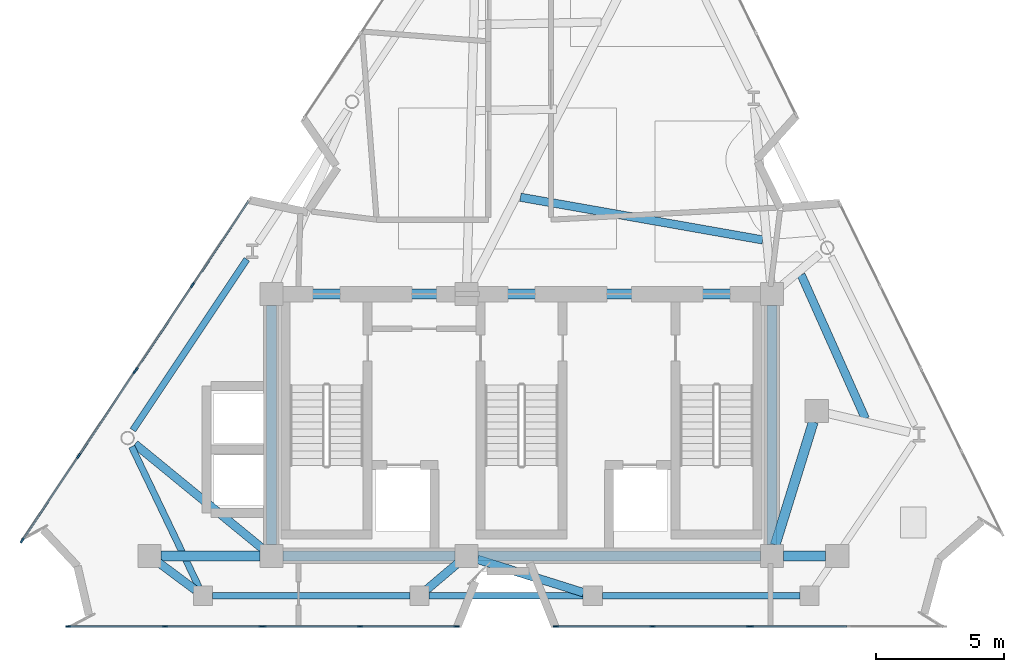
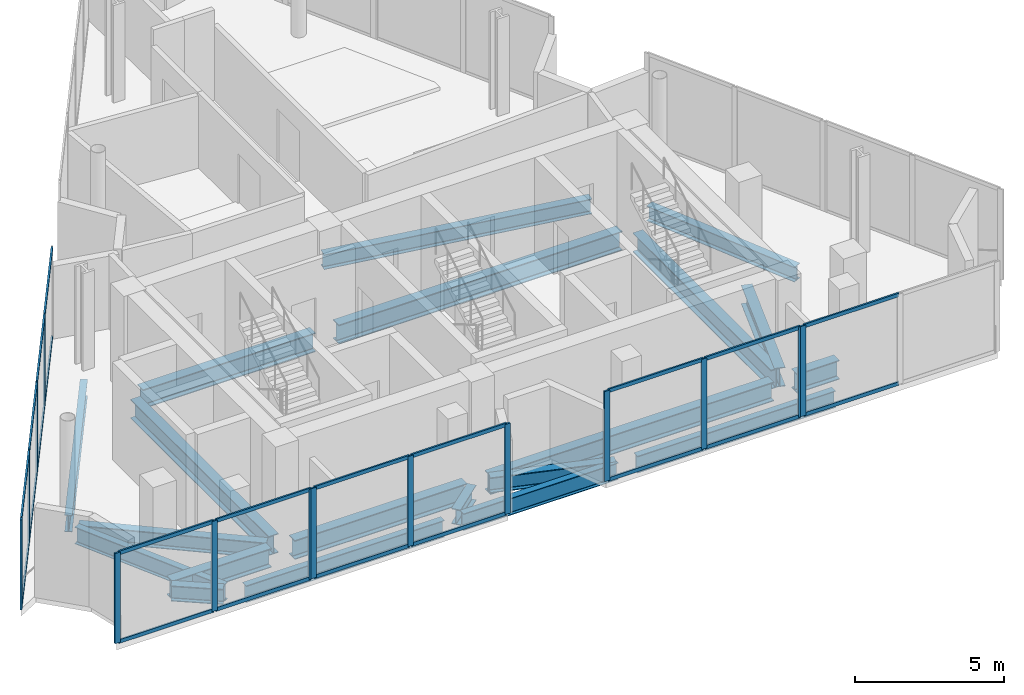
# One storey, part 2 of 9: 37 members, 20 beams, 6 elements without a shape of their own.
"""IFC4 building model written with IfcOpenShell, lengths in metres."""

from ifc_helpers import new_model, si_unit, direction, frame, origin, origin_2d, place, context, subcontext, project, spatial, rectangle, i_section, extrude, material, layer, layer_set, material_profile, profile_set, type_object, element, aggregate, save


model = new_model("IFC4")

# Units and contexts
model_context = context("Model", 3, precision=1e-05, world=origin(), true_north=direction((0.0, 1.0)))
body_context = subcontext(model_context, "Body", "Model", "MODEL_VIEW")
ifc_project = project(units=[si_unit("LENGTHUNIT", "METRE"), si_unit("AREAUNIT", "SQUARE_METRE"), si_unit("VOLUMEUNIT", "CUBIC_METRE"), si_unit("PLANEANGLEUNIT", "RADIAN"), si_unit("MASSUNIT", "GRAM", prefix="KILO")], contexts=[model_context])

# Site, building, storey
site_placement = place(None, origin())
site = spatial("IfcSite", under=ifc_project, at=site_placement, CompositionType="ELEMENT")
building_placement = place(site_placement, origin())
building = spatial("IfcBuilding", under=site, at=building_placement, Name="Almagre Mirador Tower", CompositionType="ELEMENT")
storey_placement = place(building_placement, frame((0.0, 0.0, 298.5)))
storey = spatial("IfcBuildingStorey", under=building, at=storey_placement, Name="L77", CompositionType="ELEMENT", Elevation=298.5)

# Beams
ifc_material_1 = material(Name="Steel ASTM A992 Grade 50", Category="steel")
ifc_material_profile_1 = material_profile(ifc_material_1, i_section(OverallWidth=0.323974609375, OverallDepth=0.611083984375, WebThickness=0.0126953125, FlangeThickness=0.01904296875, FilletRadius=0.02001953125, at=origin_2d()), Name="W24X104")
ifc_profile_set_1 = profile_set([ifc_material_profile_1], Name="Steel ASTM A992 Grade 50")
beam_type_1 = type_object("IfcBeamType", Name="BM-JST-W24X104", PredefinedType="JOIST", material=ifc_profile_set_1)
beam_1_placement = place(storey_placement, frame((50.697998046875, 9.89599609375, -0.60546875), z_axis=(-0.407952755815, 0.91300303889, 0.0), x_axis=(-0.91300303889, -0.407952755815, 0.0)))
element("IfcBeam", 1, at=beam_1_placement, inside=storey, type_object=beam_type_1, Name="L77 secondary floor joist PC05-PC06.2", PredefinedType="JOIST", context=body_context, shape_type="SweptSolid", body=[
    extrude(i_section(OverallWidth=0.323974609375, OverallDepth=0.611083984375, WebThickness=0.0126953125, FlangeThickness=0.01904296875, FilletRadius=0.02001953125, at=origin_2d()), origin(), (0.0, 0.0, 1.0), 6.14013671875),
])
beam_2_placement = place(storey_placement, frame((46.694091796875, 16.861328125, -0.60546875), z_axis=(-0.984830443771, 0.17351944278, 0.0), x_axis=(-0.17351944278, -0.984830443771, 0.0)))
element("IfcBeam", 2, at=beam_2_placement, inside=storey, type_object=beam_type_1, Name="L77 secondary floor joist PC07-PC08.3", PredefinedType="JOIST", context=body_context, shape_type="SweptSolid", body=[
    extrude(i_section(OverallWidth=0.323974609375, OverallDepth=0.611083984375, WebThickness=0.0126953125, FlangeThickness=0.01904296875, FilletRadius=0.02001953125, at=origin_2d()), origin(), (0.0, 0.0, 1.0), 9.5859375),
])
ifc_material_2 = material(Name="Steel ASTM A992 Grade 50", Category="steel")
ifc_material_profile_2 = material_profile(ifc_material_2, i_section(OverallWidth=0.256103515625, OverallDepth=0.693115234375, WebThickness=0.014404296875, FlangeThickness=0.023681640625, FilletRadius=0.02197265625, at=origin_2d()), Name="W27X114")
ifc_profile_set_2 = profile_set([ifc_material_profile_2], Name="Steel ASTM A992 Grade 50")
beam_type_2 = type_object("IfcBeamType", Name="BM-SPN-W27X114", PredefinedType="SPANDREL", material=ifc_profile_set_2)
beam_3_placement = place(storey_placement, frame((25.259033203125, 3.0, -0.646484375), z_axis=(1.0, 0.0, 0.0), x_axis=(0.0, 1.0, 0.0)))
element("IfcBeam", 3, at=beam_3_placement, inside=storey, type_object=beam_type_2, Name="L77 perimeter spandrel beam PC01-PC02", PredefinedType="SPANDREL", context=body_context, shape_type="SweptSolid", body=[
    extrude(i_section(OverallWidth=0.256103515625, OverallDepth=0.693115234375, WebThickness=0.014404296875, FlangeThickness=0.023681640625, FilletRadius=0.02197265625, at=origin_2d()), origin(), (0.0, 0.0, 1.0), 7.68994140625),
])
beam_4_placement = place(storey_placement, frame((33.698974609375, 3.0, -0.646484375), z_axis=(1.0, 0.0, 0.0), x_axis=(0.0, 1.0, 0.0)))
element("IfcBeam", 4, at=beam_4_placement, inside=storey, type_object=beam_type_2, Name="L77 perimeter spandrel beam PC02-PC03", PredefinedType="SPANDREL", context=body_context, shape_type="SweptSolid", body=[
    extrude(i_section(OverallWidth=0.256103515625, OverallDepth=0.693115234375, WebThickness=0.014404296875, FlangeThickness=0.023681640625, FilletRadius=0.02197265625, at=origin_2d()), origin(), (0.0, 0.0, 1.0), 6.001953125),
])
beam_5_placement = place(storey_placement, frame((40.450927734375, 3.0, -0.646484375), z_axis=(1.0, 0.0, 0.0), x_axis=(0.0, 1.0, 0.0)))
element("IfcBeam", 5, at=beam_5_placement, inside=storey, type_object=beam_type_2, Name="L77 perimeter spandrel beam PC03-PC04", PredefinedType="SPANDREL", context=body_context, shape_type="SweptSolid", body=[
    extrude(i_section(OverallWidth=0.256103515625, OverallDepth=0.693115234375, WebThickness=0.014404296875, FlangeThickness=0.023681640625, FilletRadius=0.02197265625, at=origin_2d()), origin(), (0.0, 0.0, 1.0), 7.690185546875),
])
beam_6_placement = place(storey_placement, frame((26.595703125, 16.110107421875, -0.646484375), z_axis=(-0.555228061938, -0.831698141898, 0.0), x_axis=(0.831698141898, -0.555228061938, 0.0)))
element("IfcBeam", 6, at=beam_6_placement, inside=storey, type_object=beam_type_2, Name="L77 perimeter spandrel beam PC11-PC12", PredefinedType="SPANDREL", context=body_context, shape_type="SweptSolid", body=[
    extrude(i_section(OverallWidth=0.256103515625, OverallDepth=0.693115234375, WebThickness=0.014404296875, FlangeThickness=0.023681640625, FilletRadius=0.02197265625, at=origin_2d()), origin(), (0.0, 0.0, 1.0), 8.003173828125),
])
beam_7_placement = place(storey_placement, frame((22.10595703125, 8.8037109375, -0.646484375), z_axis=(0.431756290683, -0.901990302307, 0.0), x_axis=(0.901990302307, 0.431756290683, 0.0)))
element("IfcBeam", 7, at=beam_7_placement, inside=storey, type_object=beam_type_2, Name="L77 perimeter spandrel beam PC12-PC01", PredefinedType="SPANDREL", context=body_context, shape_type="SweptSolid", body=[
    extrude(i_section(OverallWidth=0.256103515625, OverallDepth=0.693115234375, WebThickness=0.014404296875, FlangeThickness=0.023681640625, FilletRadius=0.02197265625, at=origin_2d()), origin(), (0.0, 0.0, 1.0), 6.0595703125),
])
ifc_material_3 = material(Name="Steel ASTM A992 Grade 50", Category="steel")
ifc_material_profile_3 = material_profile(ifc_material_3, i_section(OverallWidth=0.330078125, OverallDepth=0.635009765625, WebThickness=0.017822265625, FlangeThickness=0.031005859375, FilletRadius=0.02001953125, at=origin_2d()), Name="W24X162")
ifc_profile_set_3 = profile_set([ifc_material_profile_3], Name="Steel ASTM A992 Grade 50")
beam_type_3 = type_object("IfcBeamType", Name="BM-STL-W24X162", PredefinedType="BEAM", material=ifc_profile_set_3)
beam_8_placement = place(storey_placement, frame((24.5830078125, 3.223876953125, -0.617431640625), z_axis=(-0.802374373866, 0.596821048693, 0.0), x_axis=(-0.596821048693, -0.802374373866, 0.0)))
element("IfcBeam", 8, at=beam_8_placement, inside=storey, type_object=beam_type_3, Name="L77 radial floor girder PC01-MC1", PredefinedType="BEAM", context=body_context, shape_type="SweptSolid", body=[
    extrude(i_section(OverallWidth=0.330078125, OverallDepth=0.635009765625, WebThickness=0.017822265625, FlangeThickness=0.031005859375, FilletRadius=0.02001953125, at=origin_2d()), origin(), (0.0, 0.0, 1.0), 1.77197265625),
])
beam_9_placement = place(storey_placement, frame((33.60986328125, 3.24267578125, -0.617431640625), z_axis=(0.76236500019, 0.647147283457, 0.0), x_axis=(-0.647147283457, 0.76236500019, 0.0)))
element("IfcBeam", 9, at=beam_9_placement, inside=storey, type_object=beam_type_3, Name="L77 radial floor girder PC02-CC2", PredefinedType="BEAM", context=body_context, shape_type="SweptSolid", body=[
    extrude(i_section(OverallWidth=0.330078125, OverallDepth=0.635009765625, WebThickness=0.017822265625, FlangeThickness=0.031005859375, FilletRadius=0.02001953125, at=origin_2d()), origin(), (0.0, 0.0, 1.0), 1.570068359375),
])
beam_10_placement = place(storey_placement, frame((39.71826171875, 3.112548828125, -0.617431640625), z_axis=(-0.953898482719, 0.300129446518, 0.0), x_axis=(-0.300129446518, -0.953898482719, 0.0)))
element("IfcBeam", 10, at=beam_10_placement, inside=storey, type_object=beam_type_3, Name="L77 radial floor girder PC03-CC2", PredefinedType="BEAM", context=body_context, shape_type="SweptSolid", body=[
    extrude(i_section(OverallWidth=0.330078125, OverallDepth=0.635009765625, WebThickness=0.017822265625, FlangeThickness=0.031005859375, FilletRadius=0.02001953125, at=origin_2d()), origin(), (0.0, 0.0, 1.0), 4.3388671875),
])
beam_11_placement = place(storey_placement, frame((22.234130859375, 8.904296875, -0.617431640625), z_axis=(0.773609930391, -0.633662114696, 0.0), x_axis=(0.633662114696, 0.773609930391, 0.0)))
element("IfcBeam", 11, at=beam_11_placement, inside=storey, type_object=beam_type_3, Name="L77 radial floor girder PC12-CC1", PredefinedType="BEAM", context=body_context, shape_type="SweptSolid", body=[
    extrude(i_section(OverallWidth=0.330078125, OverallDepth=0.635009765625, WebThickness=0.017822265625, FlangeThickness=0.031005859375, FilletRadius=0.02001953125, at=origin_2d()), origin(), (0.0, 0.0, 1.0), 6.421630859375),
])
ifc_material_4 = material(Name="Steel ASTM A992 Grade 50", Category="steel")
ifc_material_profile_4 = material_profile(ifc_material_4, i_section(OverallWidth=0.384033203125, OverallDepth=0.784912109375, WebThickness=0.019775390625, FlangeThickness=0.033447265625, FilletRadius=0.02392578125, at=origin_2d()), Name="W30X211")
ifc_profile_set_4 = profile_set([ifc_material_profile_4], Name="Steel ASTM A992 Grade 50")
beam_type_4 = type_object("IfcBeamType", Name="BM-STL-W30X211", PredefinedType="BEAM", material=ifc_profile_set_4)
beam_12_placement = place(storey_placement, frame((28.0, 4.550048828125, -0.6923828125), z_axis=(1.0, 0.0, 0.0), x_axis=(0.0, 1.0, 0.0)))
element("IfcBeam", 12, at=beam_12_placement, inside=storey, type_object=beam_type_4, Name="L77 core tie girder CC1-CC2", PredefinedType="BEAM", context=body_context, shape_type="SweptSolid", body=[
    extrude(i_section(OverallWidth=0.384033203125, OverallDepth=0.784912109375, WebThickness=0.019775390625, FlangeThickness=0.033447265625, FilletRadius=0.02392578125, at=origin_2d()), origin(), (0.0, 0.0, 1.0), 6.699951171875),
])
beam_13_placement = place(storey_placement, frame((35.60009765625, 4.550048828125, -0.6923828125), z_axis=(1.0, 0.0, 0.0), x_axis=(0.0, 1.0, 0.0)))
element("IfcBeam", 13, at=beam_13_placement, inside=storey, type_object=beam_type_4, Name="L77 core tie girder CC2-CC3", PredefinedType="BEAM", context=body_context, shape_type="SweptSolid", body=[
    extrude(i_section(OverallWidth=0.384033203125, OverallDepth=0.784912109375, WebThickness=0.019775390625, FlangeThickness=0.033447265625, FilletRadius=0.02392578125, at=origin_2d()), origin(), (0.0, 0.0, 1.0), 11.0),
])
beam_14_placement = place(storey_placement, frame((28.0, 14.75, -0.6923828125), z_axis=(1.0, 0.0, 0.0), x_axis=(0.0, 1.0, 0.0)))
element("IfcBeam", 14, at=beam_14_placement, inside=storey, type_object=beam_type_4, Name="L77 core tie girder CC4-CC5", PredefinedType="BEAM", context=body_context, shape_type="SweptSolid", body=[
    extrude(i_section(OverallWidth=0.384033203125, OverallDepth=0.784912109375, WebThickness=0.019775390625, FlangeThickness=0.033447265625, FilletRadius=0.02392578125, at=origin_2d()), origin(), (0.0, 0.0, 1.0), 6.699951171875),
])
beam_15_placement = place(storey_placement, frame((35.60009765625, 14.75, -0.6923828125), z_axis=(1.0, 0.0, 0.0), x_axis=(0.0, 1.0, 0.0)))
element("IfcBeam", 15, at=beam_15_placement, inside=storey, type_object=beam_type_4, Name="L77 core tie girder CC5-CC6", PredefinedType="BEAM", context=body_context, shape_type="SweptSolid", body=[
    extrude(i_section(OverallWidth=0.384033203125, OverallDepth=0.784912109375, WebThickness=0.019775390625, FlangeThickness=0.033447265625, FilletRadius=0.02392578125, at=origin_2d()), origin(), (0.0, 0.0, 1.0), 11.0),
])
for number, where, z_axis, x_axis, name in (
    (16, (27.550048828125, 5.0, -0.6923828125), (0.0, 1.0, 0.0), (-1.0, 0.0, 0.0), "L77 core tie girder CC1-CC4"),
    (17, (47.050048828125, 5.0, -0.6923828125), (0.0, 1.0, 0.0), (-1.0, 0.0, 0.0), "L77 core tie girder CC3-CC6"),
):
    element("IfcBeam", number, at=place(storey_placement, frame(where, z_axis=z_axis, x_axis=x_axis)), inside=storey, type_object=beam_type_4, Name=name, PredefinedType="BEAM", context=body_context, shape_type="SweptSolid", body=[
        extrude(i_section(OverallWidth=0.384033203125, OverallDepth=0.784912109375, WebThickness=0.019775390625, FlangeThickness=0.033447265625, FilletRadius=0.02392578125, at=origin_2d()), origin(), (0.0, 0.0, 1.0), 9.300048828125),
    ])
beam_16_placement = place(storey_placement, frame((23.25, 4.550048828125, -0.6923828125), z_axis=(1.0, 0.0, 0.0), x_axis=(0.0, 1.0, 0.0)))
element("IfcBeam", 18, at=beam_16_placement, inside=storey, type_object=beam_type_4, Name="L77 core tie girder MC1-CC1", PredefinedType="BEAM", context=body_context, shape_type="SweptSolid", body=[
    extrude(i_section(OverallWidth=0.384033203125, OverallDepth=0.784912109375, WebThickness=0.019775390625, FlangeThickness=0.033447265625, FilletRadius=0.02392578125, at=origin_2d()), origin(), (0.0, 0.0, 1.0), 3.85009765625),
])
beam_17_placement = place(storey_placement, frame((49.14990234375, 4.550048828125, -0.6923828125), z_axis=(-1.0, 0.0, 0.0), x_axis=(0.0, -1.0, 0.0)))
element("IfcBeam", 19, at=beam_17_placement, inside=storey, type_object=beam_type_4, Name="L77 core tie girder MC2-CC3", PredefinedType="BEAM", context=body_context, shape_type="SweptSolid", body=[
    extrude(i_section(OverallWidth=0.384033203125, OverallDepth=0.784912109375, WebThickness=0.019775390625, FlangeThickness=0.033447265625, FilletRadius=0.02392578125, at=origin_2d()), origin(), (0.0, 0.0, 1.0), 1.64990234375),
])
beam_18_placement = place(storey_placement, frame((48.6669921875, 9.77001953125, -0.6923828125), z_axis=(-0.295912212866, -0.955215139263, 0.0), x_axis=(0.955215139263, -0.295912212866, 0.0)))
element("IfcBeam", 20, at=beam_18_placement, inside=storey, type_object=beam_type_4, Name="L77 core tie girder MC3-CC3", PredefinedType="BEAM", context=body_context, shape_type="SweptSolid", body=[
    extrude(i_section(OverallWidth=0.384033203125, OverallDepth=0.784912109375, WebThickness=0.019775390625, FlangeThickness=0.033447265625, FilletRadius=0.02392578125, at=origin_2d()), origin(), (0.0, 0.0, 1.0), 5.0146484375),
])

# Curtain wall, member
ifc_material_5 = material(Name="Black anodized aluminium", Category="aluminium")
ifc_layer = layer(ifc_material_5, 0.2099609375)
ifc_layer_set = layer_set([ifc_layer], Name="Black anodized aluminium")
curtain_wall_type = type_object("IfcCurtainWallType", Name="CW-CRN-SYS", PredefinedType="NOTDEFINED", material=ifc_layer_set)
curtain_wall_1_placement = place(storey_placement, origin())
curtain_wall_1 = element("IfcCurtainWall", 21, at=curtain_wall_1_placement, inside=storey, type_object=curtain_wall_type, Name="L77 curtain wall run 07", PredefinedType="NOTDEFINED")
ifc_material_6 = material(Name="Black anodized aluminium", Category="aluminium")
ifc_material_profile_5 = material_profile(ifc_material_6, rectangle(XDim=0.070068359375, YDim=0.2099609375, at=origin_2d()), Name="CWM70X210")
ifc_profile_set_5 = profile_set([ifc_material_profile_5], Name="Black anodized aluminium")
member_type_1 = type_object("IfcMemberType", Name="MBR-CWM70X210", PredefinedType="MULLION", material=ifc_profile_set_5)
member_1_placement = place(storey_placement, frame((46.235107421875, 1.800048828125, 0.0), z_axis=(0.0, 0.0, 1.0), x_axis=(0.0, -1.0, 0.0)))
member_1 = element("IfcMember", 22, at=member_1_placement, type_object=member_type_1, Name="CW-6 mullion 3", PredefinedType="MULLION", context=body_context, shape_type="SweptSolid", body=[
    extrude(rectangle(XDim=0.070068359375, YDim=0.2099609375, at=origin_2d()), origin(), (0.0, 0.0, 1.0), 3.699951171875),
])

# Curtain wall, members
curtain_wall_2_placement = place(storey_placement, origin())
curtain_wall_2 = element("IfcCurtainWall", 23, at=curtain_wall_2_placement, inside=storey, type_object=curtain_wall_type, Name="L77 curtain wall run 08", PredefinedType="NOTDEFINED")
member_2_placement = place(storey_placement, frame((46.1650390625, 1.800048828125, 0.0), z_axis=(0.0, 0.0, 1.0), x_axis=(0.0, -1.0, 0.0)))
member_2 = element("IfcMember", 24, at=member_2_placement, type_object=member_type_1, Name="CW-6 mullion 1", PredefinedType="MULLION", context=body_context, shape_type="SweptSolid", body=[
    extrude(rectangle(XDim=0.070068359375, YDim=0.2099609375, at=origin_2d()), origin(), (0.0, 0.0, 1.0), 3.699951171875),
])
member_3_placement = place(storey_placement, frame((42.39990234375, 1.800048828125, 0.0), z_axis=(0.0, 0.0, 1.0), x_axis=(0.0, -1.0, 0.0)))
member_3 = element("IfcMember", 25, at=member_3_placement, type_object=member_type_1, Name="CW-6 mullion 2", PredefinedType="MULLION", context=body_context, shape_type="SweptSolid", body=[
    extrude(rectangle(XDim=0.070068359375, YDim=0.2099609375, at=origin_2d()), origin(), (0.0, 0.0, 1.0), 3.699951171875),
])
member_4_placement = place(storey_placement, frame((38.635009765625, 1.800048828125, 0.0), z_axis=(0.0, 0.0, 1.0), x_axis=(0.0, -1.0, 0.0)))
member_4 = element("IfcMember", 26, at=member_4_placement, type_object=member_type_1, Name="CW-6 mullion 3", PredefinedType="MULLION", context=body_context, shape_type="SweptSolid", body=[
    extrude(rectangle(XDim=0.070068359375, YDim=0.2099609375, at=origin_2d()), origin(), (0.0, 0.0, 1.0), 3.699951171875),
])

curtain_wall_3_placement = place(storey_placement, origin())
curtain_wall_3 = element("IfcCurtainWall", 27, at=curtain_wall_3_placement, inside=storey, type_object=curtain_wall_type, Name="L77 curtain wall run 09", PredefinedType="NOTDEFINED")
member_5_placement = place(storey_placement, frame((34.764892578125, 1.800048828125, 0.0), z_axis=(0.0, 0.0, 1.0), x_axis=(0.0, -1.0, 0.0)))
member_5 = element("IfcMember", 28, at=member_5_placement, type_object=member_type_1, Name="CW-6 mullion 1", PredefinedType="MULLION", context=body_context, shape_type="SweptSolid", body=[
    extrude(rectangle(XDim=0.070068359375, YDim=0.2099609375, at=origin_2d()), origin(), (0.0, 0.0, 1.0), 3.699951171875),
])
member_6_placement = place(storey_placement, frame((31.0, 1.800048828125, 0.0), z_axis=(0.0, 0.0, 1.0), x_axis=(0.0, -1.0, 0.0)))
member_6 = element("IfcMember", 29, at=member_6_placement, type_object=member_type_1, Name="CW-6 mullion 2", PredefinedType="MULLION", context=body_context, shape_type="SweptSolid", body=[
    extrude(rectangle(XDim=0.070068359375, YDim=0.2099609375, at=origin_2d()), origin(), (0.0, 0.0, 1.0), 3.699951171875),
])
member_7_placement = place(storey_placement, frame((27.235107421875, 1.800048828125, 0.0), z_axis=(0.0, 0.0, 1.0), x_axis=(0.0, -1.0, 0.0)))
member_7 = element("IfcMember", 30, at=member_7_placement, type_object=member_type_1, Name="CW-6 mullion 3", PredefinedType="MULLION", context=body_context, shape_type="SweptSolid", body=[
    extrude(rectangle(XDim=0.070068359375, YDim=0.2099609375, at=origin_2d()), origin(), (0.0, 0.0, 1.0), 3.699951171875),
])

curtain_wall_4_placement = place(storey_placement, origin())
curtain_wall_4 = element("IfcCurtainWall", 31, at=curtain_wall_4_placement, inside=storey, type_object=curtain_wall_type, Name="L77 curtain wall run 10", PredefinedType="NOTDEFINED")
member_8_placement = place(storey_placement, frame((27.1650390625, 1.800048828125, 0.0), z_axis=(0.0, 0.0, 1.0), x_axis=(0.0, -1.0, 0.0)))
member_8 = element("IfcMember", 32, at=member_8_placement, type_object=member_type_1, Name="CW-6 mullion 1", PredefinedType="MULLION", context=body_context, shape_type="SweptSolid", body=[
    extrude(rectangle(XDim=0.070068359375, YDim=0.2099609375, at=origin_2d()), origin(), (0.0, 0.0, 1.0), 3.699951171875),
])
member_9_placement = place(storey_placement, frame((23.39990234375, 1.800048828125, 0.0), z_axis=(0.0, 0.0, 1.0), x_axis=(0.0, -1.0, 0.0)))
member_9 = element("IfcMember", 33, at=member_9_placement, type_object=member_type_1, Name="CW-6 mullion 2", PredefinedType="MULLION", context=body_context, shape_type="SweptSolid", body=[
    extrude(rectangle(XDim=0.070068359375, YDim=0.2099609375, at=origin_2d()), origin(), (0.0, 0.0, 1.0), 3.699951171875),
])
member_10_placement = place(storey_placement, frame((19.635009765625, 1.800048828125, 0.0), z_axis=(0.0, 0.0, 1.0), x_axis=(0.0, -1.0, 0.0)))
member_10 = element("IfcMember", 34, at=member_10_placement, type_object=member_type_1, Name="CW-6 mullion 3", PredefinedType="MULLION", context=body_context, shape_type="SweptSolid", body=[
    extrude(rectangle(XDim=0.070068359375, YDim=0.2099609375, at=origin_2d()), origin(), (0.0, 0.0, 1.0), 3.699951171875),
])

curtain_wall_5_placement = place(storey_placement, origin())
curtain_wall_5 = element("IfcCurtainWall", 35, at=curtain_wall_5_placement, inside=storey, type_object=curtain_wall_type, Name="L77 curtain wall run 11", PredefinedType="NOTDEFINED")
member_11_placement = place(storey_placement, frame((17.84033203125, 5.156005859375, 0.0), z_axis=(0.0, 0.0, 1.0), x_axis=(-0.831703606854, 0.555219875676, 0.0)))
member_11 = element("IfcMember", 36, at=member_11_placement, type_object=member_type_1, Name="CW-6 mullion 1", PredefinedType="MULLION", context=body_context, shape_type="SweptSolid", body=[
    extrude(rectangle(XDim=0.070068359375, YDim=0.2099609375, at=origin_2d()), origin(), (0.0, 0.0, 1.0), 3.699951171875),
])
member_12_placement = place(storey_placement, frame((20.03955078125, 8.4501953125, 0.0), z_axis=(0.0, 0.0, 1.0), x_axis=(-0.831703606854, 0.555219875676, 0.0)))
member_12 = element("IfcMember", 37, at=member_12_placement, type_object=member_type_1, Name="CW-6 mullion 2", PredefinedType="MULLION", context=body_context, shape_type="SweptSolid", body=[
    extrude(rectangle(XDim=0.070068359375, YDim=0.2099609375, at=origin_2d()), origin(), (0.0, 0.0, 1.0), 3.699951171875),
])
member_13_placement = place(storey_placement, frame((22.238525390625, 11.744384765625, 0.0), z_axis=(0.0, 0.0, 1.0), x_axis=(-0.831703606854, 0.555219875676, 0.0)))
member_13 = element("IfcMember", 38, at=member_13_placement, type_object=member_type_1, Name="CW-6 mullion 3", PredefinedType="MULLION", context=body_context, shape_type="SweptSolid", body=[
    extrude(rectangle(XDim=0.070068359375, YDim=0.2099609375, at=origin_2d()), origin(), (0.0, 0.0, 1.0), 3.699951171875),
])

curtain_wall_6_placement = place(storey_placement, origin())
curtain_wall_6 = element("IfcCurtainWall", 39, at=curtain_wall_6_placement, inside=storey, type_object=curtain_wall_type, Name="L77 curtain wall run 12", PredefinedType="NOTDEFINED")
member_14_placement = place(storey_placement, frame((22.27734375, 11.802490234375, 0.0), z_axis=(0.0, 0.0, 1.0), x_axis=(-0.831703606854, 0.555219875676, 0.0)))
member_14 = element("IfcMember", 40, at=member_14_placement, type_object=member_type_1, Name="CW-6 mullion 1", PredefinedType="MULLION", context=body_context, shape_type="SweptSolid", body=[
    extrude(rectangle(XDim=0.070068359375, YDim=0.2099609375, at=origin_2d()), origin(), (0.0, 0.0, 1.0), 3.699951171875),
])
member_15_placement = place(storey_placement, frame((24.4765625, 15.0966796875, 0.0), z_axis=(0.0, 0.0, 1.0), x_axis=(-0.831703606854, 0.555219875676, 0.0)))
member_15 = element("IfcMember", 41, at=member_15_placement, type_object=member_type_1, Name="CW-6 mullion 2", PredefinedType="MULLION", context=body_context, shape_type="SweptSolid", body=[
    extrude(rectangle(XDim=0.070068359375, YDim=0.2099609375, at=origin_2d()), origin(), (0.0, 0.0, 1.0), 3.699951171875),
])

# Member
ifc_material_7 = material(Name="Black anodized aluminium", Category="aluminium")
ifc_material_profile_6 = material_profile(ifc_material_7, rectangle(XDim=0.06494140625, YDim=0.14990234375, at=origin_2d()), Name="CWT65X150")
ifc_profile_set_6 = profile_set([ifc_material_profile_6], Name="Black anodized aluminium")
member_type_2 = type_object("IfcMemberType", Name="MBR-CWT65X150", PredefinedType="USERDEFINED", material=ifc_profile_set_6)
member_16_placement = place(storey_placement, frame((49.965087890625, 1.800048828125, 0.032470703125), z_axis=(-1.0, 0.0, 0.0), x_axis=(0.0, -1.0, 0.0)))
member_16 = element("IfcMember", 42, at=member_16_placement, type_object=member_type_2, Name="CW-6 transom 2.1", ObjectType="TRANSOM", PredefinedType="USERDEFINED", context=body_context, shape_type="SweptSolid", body=[
    extrude(rectangle(XDim=0.06494140625, YDim=0.14990234375, at=origin_2d()), origin(), (0.0, 0.0, 1.0), 3.695068359375),
])

member_17_placement = place(storey_placement, frame((49.965087890625, 1.800048828125, 3.66748046875), z_axis=(-1.0, 0.0, 0.0), x_axis=(0.0, -1.0, 0.0)))
member_17 = element("IfcMember", 43, at=member_17_placement, type_object=member_type_2, Name="CW-6 transom 2.2", ObjectType="TRANSOM", PredefinedType="USERDEFINED", context=body_context, shape_type="SweptSolid", body=[
    extrude(rectangle(XDim=0.06494140625, YDim=0.14990234375, at=origin_2d()), origin(), (0.0, 0.0, 1.0), 3.695068359375),
])

aggregate(curtain_wall_1, [member_1, member_16, member_17])

member_18_placement = place(storey_placement, frame((46.1298828125, 1.800048828125, 0.032470703125), z_axis=(-1.0, 0.0, 0.0), x_axis=(0.0, -1.0, 0.0)))
member_18 = element("IfcMember", 44, at=member_18_placement, type_object=member_type_2, Name="CW-6 transom 1.1", ObjectType="TRANSOM", PredefinedType="USERDEFINED", context=body_context, shape_type="SweptSolid", body=[
    extrude(rectangle(XDim=0.06494140625, YDim=0.14990234375, at=origin_2d()), origin(), (0.0, 0.0, 1.0), 3.69482421875),
])

member_19_placement = place(storey_placement, frame((46.1298828125, 1.800048828125, 3.66748046875), z_axis=(-1.0, 0.0, 0.0), x_axis=(0.0, -1.0, 0.0)))
member_19 = element("IfcMember", 45, at=member_19_placement, type_object=member_type_2, Name="CW-6 transom 1.2", ObjectType="TRANSOM", PredefinedType="USERDEFINED", context=body_context, shape_type="SweptSolid", body=[
    extrude(rectangle(XDim=0.06494140625, YDim=0.14990234375, at=origin_2d()), origin(), (0.0, 0.0, 1.0), 3.69482421875),
])

member_20_placement = place(storey_placement, frame((42.364990234375, 1.800048828125, 0.032470703125), z_axis=(-1.0, 0.0, 0.0), x_axis=(0.0, -1.0, 0.0)))
member_20 = element("IfcMember", 46, at=member_20_placement, type_object=member_type_2, Name="CW-6 transom 2.1", ObjectType="TRANSOM", PredefinedType="USERDEFINED", context=body_context, shape_type="SweptSolid", body=[
    extrude(rectangle(XDim=0.06494140625, YDim=0.14990234375, at=origin_2d()), origin(), (0.0, 0.0, 1.0), 3.695068359375),
])

member_21_placement = place(storey_placement, frame((42.364990234375, 1.800048828125, 3.66748046875), z_axis=(-1.0, 0.0, 0.0), x_axis=(0.0, -1.0, 0.0)))
member_21 = element("IfcMember", 47, at=member_21_placement, type_object=member_type_2, Name="CW-6 transom 2.2", ObjectType="TRANSOM", PredefinedType="USERDEFINED", context=body_context, shape_type="SweptSolid", body=[
    extrude(rectangle(XDim=0.06494140625, YDim=0.14990234375, at=origin_2d()), origin(), (0.0, 0.0, 1.0), 3.695068359375),
])

aggregate(curtain_wall_2, [member_2, member_3, member_4, member_18, member_19, member_20, member_21])

member_22_placement = place(storey_placement, frame((34.72998046875, 1.800048828125, 0.032470703125), z_axis=(-1.0, 0.0, 0.0), x_axis=(0.0, -1.0, 0.0)))
member_22 = element("IfcMember", 48, at=member_22_placement, type_object=member_type_2, Name="CW-6 transom 1.1", ObjectType="TRANSOM", PredefinedType="USERDEFINED", context=body_context, shape_type="SweptSolid", body=[
    extrude(rectangle(XDim=0.06494140625, YDim=0.14990234375, at=origin_2d()), origin(), (0.0, 0.0, 1.0), 3.695068359375),
])

member_23_placement = place(storey_placement, frame((34.72998046875, 1.800048828125, 3.66748046875), z_axis=(-1.0, 0.0, 0.0), x_axis=(0.0, -1.0, 0.0)))
member_23 = element("IfcMember", 49, at=member_23_placement, type_object=member_type_2, Name="CW-6 transom 1.2", ObjectType="TRANSOM", PredefinedType="USERDEFINED", context=body_context, shape_type="SweptSolid", body=[
    extrude(rectangle(XDim=0.06494140625, YDim=0.14990234375, at=origin_2d()), origin(), (0.0, 0.0, 1.0), 3.695068359375),
])

member_24_placement = place(storey_placement, frame((30.965087890625, 1.800048828125, 0.032470703125), z_axis=(-1.0, 0.0, 0.0), x_axis=(0.0, -1.0, 0.0)))
member_24 = element("IfcMember", 50, at=member_24_placement, type_object=member_type_2, Name="CW-6 transom 2.1", ObjectType="TRANSOM", PredefinedType="USERDEFINED", context=body_context, shape_type="SweptSolid", body=[
    extrude(rectangle(XDim=0.06494140625, YDim=0.14990234375, at=origin_2d()), origin(), (0.0, 0.0, 1.0), 3.695068359375),
])

member_25_placement = place(storey_placement, frame((30.965087890625, 1.800048828125, 3.66748046875), z_axis=(-1.0, 0.0, 0.0), x_axis=(0.0, -1.0, 0.0)))
member_25 = element("IfcMember", 51, at=member_25_placement, type_object=member_type_2, Name="CW-6 transom 2.2", ObjectType="TRANSOM", PredefinedType="USERDEFINED", context=body_context, shape_type="SweptSolid", body=[
    extrude(rectangle(XDim=0.06494140625, YDim=0.14990234375, at=origin_2d()), origin(), (0.0, 0.0, 1.0), 3.695068359375),
])

aggregate(curtain_wall_3, [member_5, member_6, member_7, member_22, member_23, member_24, member_25])

member_26_placement = place(storey_placement, frame((27.1298828125, 1.800048828125, 0.032470703125), z_axis=(-1.0, 0.0, 0.0), x_axis=(0.0, -1.0, 0.0)))
member_26 = element("IfcMember", 52, at=member_26_placement, type_object=member_type_2, Name="CW-6 transom 1.1", ObjectType="TRANSOM", PredefinedType="USERDEFINED", context=body_context, shape_type="SweptSolid", body=[
    extrude(rectangle(XDim=0.06494140625, YDim=0.14990234375, at=origin_2d()), origin(), (0.0, 0.0, 1.0), 3.69482421875),
])

member_27_placement = place(storey_placement, frame((27.1298828125, 1.800048828125, 3.66748046875), z_axis=(-1.0, 0.0, 0.0), x_axis=(0.0, -1.0, 0.0)))
member_27 = element("IfcMember", 53, at=member_27_placement, type_object=member_type_2, Name="CW-6 transom 1.2", ObjectType="TRANSOM", PredefinedType="USERDEFINED", context=body_context, shape_type="SweptSolid", body=[
    extrude(rectangle(XDim=0.06494140625, YDim=0.14990234375, at=origin_2d()), origin(), (0.0, 0.0, 1.0), 3.69482421875),
])

member_28_placement = place(storey_placement, frame((23.364990234375, 1.800048828125, 0.032470703125), z_axis=(-1.0, 0.0, 0.0), x_axis=(0.0, -1.0, 0.0)))
member_28 = element("IfcMember", 54, at=member_28_placement, type_object=member_type_2, Name="CW-6 transom 2.1", ObjectType="TRANSOM", PredefinedType="USERDEFINED", context=body_context, shape_type="SweptSolid", body=[
    extrude(rectangle(XDim=0.06494140625, YDim=0.14990234375, at=origin_2d()), origin(), (0.0, 0.0, 1.0), 3.695068359375),
])

member_29_placement = place(storey_placement, frame((23.364990234375, 1.800048828125, 3.66748046875), z_axis=(-1.0, 0.0, 0.0), x_axis=(0.0, -1.0, 0.0)))
member_29 = element("IfcMember", 55, at=member_29_placement, type_object=member_type_2, Name="CW-6 transom 2.2", ObjectType="TRANSOM", PredefinedType="USERDEFINED", context=body_context, shape_type="SweptSolid", body=[
    extrude(rectangle(XDim=0.06494140625, YDim=0.14990234375, at=origin_2d()), origin(), (0.0, 0.0, 1.0), 3.695068359375),
])

aggregate(curtain_wall_4, [member_8, member_9, member_10, member_26, member_27, member_28, member_29])

member_30_placement = place(storey_placement, frame((17.85986328125, 5.185302734375, 0.032470703125), z_axis=(0.555221403871, 0.831702586676, 0.0), x_axis=(-0.831702586676, 0.555221403871, 0.0)))
member_30 = element("IfcMember", 56, at=member_30_placement, type_object=member_type_2, Name="CW-6 transom 1.1", ObjectType="TRANSOM", PredefinedType="USERDEFINED", context=body_context, shape_type="SweptSolid", body=[
    extrude(rectangle(XDim=0.06494140625, YDim=0.14990234375, at=origin_2d()), origin(), (0.0, 0.0, 1.0), 3.890625),
])

member_31_placement = place(storey_placement, frame((17.85986328125, 5.185302734375, 3.66748046875), z_axis=(0.555221403871, 0.831702586676, 0.0), x_axis=(-0.831702586676, 0.555221403871, 0.0)))
member_31 = element("IfcMember", 57, at=member_31_placement, type_object=member_type_2, Name="CW-6 transom 1.2", ObjectType="TRANSOM", PredefinedType="USERDEFINED", context=body_context, shape_type="SweptSolid", body=[
    extrude(rectangle(XDim=0.06494140625, YDim=0.14990234375, at=origin_2d()), origin(), (0.0, 0.0, 1.0), 3.890625),
])

member_32_placement = place(storey_placement, frame((20.058837890625, 8.479248046875, 0.032470703125), z_axis=(0.555235832146, 0.831692954582, 0.0), x_axis=(-0.831692954582, 0.555235832146, 0.0)))
member_32 = element("IfcMember", 58, at=member_32_placement, type_object=member_type_2, Name="CW-6 transom 2.1", ObjectType="TRANSOM", PredefinedType="USERDEFINED", context=body_context, shape_type="SweptSolid", body=[
    extrude(rectangle(XDim=0.06494140625, YDim=0.14990234375, at=origin_2d()), origin(), (0.0, 0.0, 1.0), 3.890869140625),
])

member_33_placement = place(storey_placement, frame((20.058837890625, 8.479248046875, 3.66748046875), z_axis=(0.555235832146, 0.831692954582, 0.0), x_axis=(-0.831692954582, 0.555235832146, 0.0)))
member_33 = element("IfcMember", 59, at=member_33_placement, type_object=member_type_2, Name="CW-6 transom 2.2", ObjectType="TRANSOM", PredefinedType="USERDEFINED", context=body_context, shape_type="SweptSolid", body=[
    extrude(rectangle(XDim=0.06494140625, YDim=0.14990234375, at=origin_2d()), origin(), (0.0, 0.0, 1.0), 3.890869140625),
])

aggregate(curtain_wall_5, [member_11, member_12, member_13, member_30, member_31, member_32, member_33])

member_34_placement = place(storey_placement, frame((22.296875, 11.831787109375, 0.032470703125), z_axis=(0.555221403871, 0.831702586676, 0.0), x_axis=(-0.831702586676, 0.555221403871, 0.0)))
member_34 = element("IfcMember", 60, at=member_34_placement, type_object=member_type_2, Name="CW-6 transom 1.1", ObjectType="TRANSOM", PredefinedType="USERDEFINED", context=body_context, shape_type="SweptSolid", body=[
    extrude(rectangle(XDim=0.06494140625, YDim=0.14990234375, at=origin_2d()), origin(), (0.0, 0.0, 1.0), 3.890625),
])

member_35_placement = place(storey_placement, frame((22.296875, 11.831787109375, 3.66748046875), z_axis=(0.555221403871, 0.831702586676, 0.0), x_axis=(-0.831702586676, 0.555221403871, 0.0)))
member_35 = element("IfcMember", 61, at=member_35_placement, type_object=member_type_2, Name="CW-6 transom 1.2", ObjectType="TRANSOM", PredefinedType="USERDEFINED", context=body_context, shape_type="SweptSolid", body=[
    extrude(rectangle(XDim=0.06494140625, YDim=0.14990234375, at=origin_2d()), origin(), (0.0, 0.0, 1.0), 3.890625),
])

member_36_placement = place(storey_placement, frame((24.495849609375, 15.1259765625, 0.032470703125), z_axis=(0.555264808345, 0.831673609425, 0.0), x_axis=(-0.831673609425, 0.555264808345, 0.0)))
member_36 = element("IfcMember", 62, at=member_36_placement, type_object=member_type_2, Name="CW-6 transom 2.1", ObjectType="TRANSOM", PredefinedType="USERDEFINED", context=body_context, shape_type="SweptSolid", body=[
    extrude(rectangle(XDim=0.06494140625, YDim=0.14990234375, at=origin_2d()), origin(), (0.0, 0.0, 1.0), 3.890869140625),
])

member_37_placement = place(storey_placement, frame((24.495849609375, 15.1259765625, 3.66748046875), z_axis=(0.555264808345, 0.831673609425, 0.0), x_axis=(-0.831673609425, 0.555264808345, 0.0)))
member_37 = element("IfcMember", 63, at=member_37_placement, type_object=member_type_2, Name="CW-6 transom 2.2", ObjectType="TRANSOM", PredefinedType="USERDEFINED", context=body_context, shape_type="SweptSolid", body=[
    extrude(rectangle(XDim=0.06494140625, YDim=0.14990234375, at=origin_2d()), origin(), (0.0, 0.0, 1.0), 3.890869140625),
])

aggregate(curtain_wall_6, [member_14, member_15, member_34, member_35, member_36, member_37])

save(model, "model.ifc")
